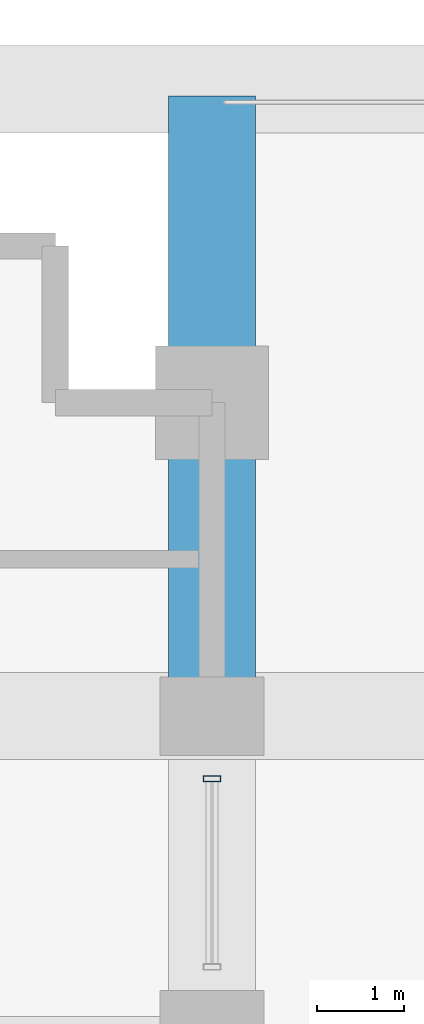
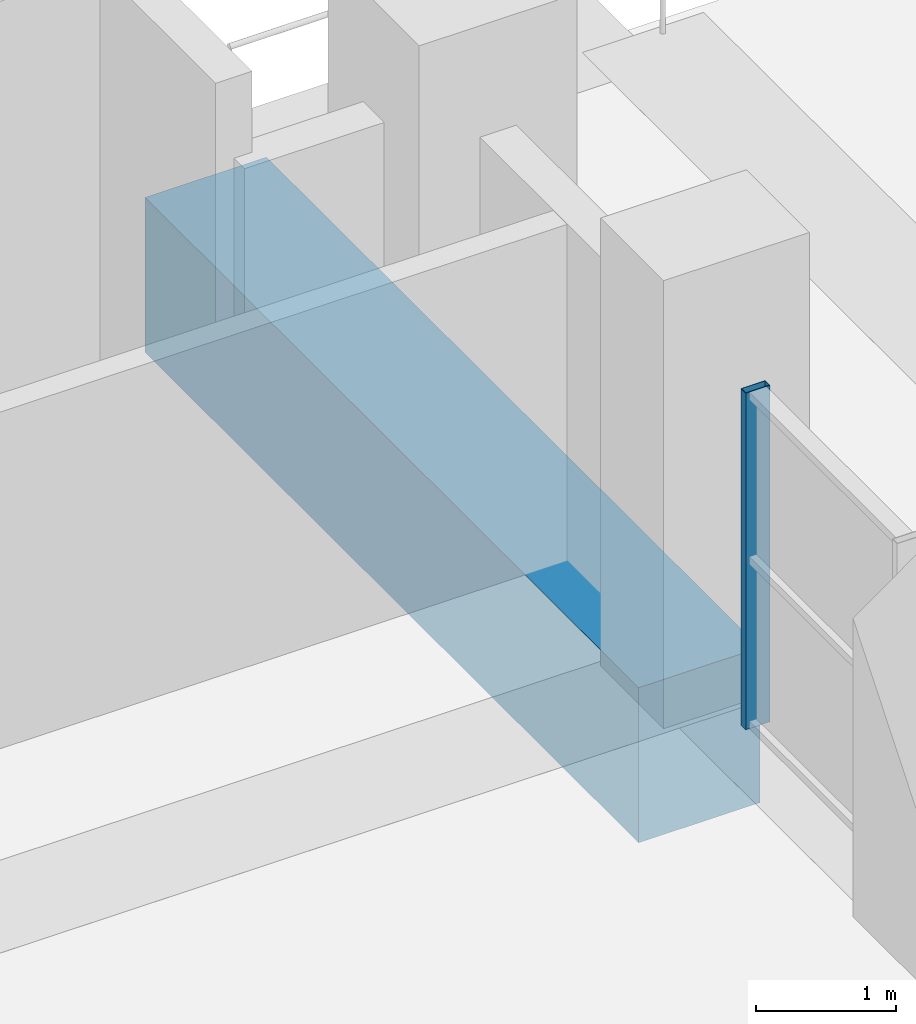
# One storey, part 27 of 39: 1 beam, 1 member, 1 element without a shape of its own.
"""IFC4 building model written with IfcOpenShell, lengths in metres."""

from ifc_helpers import new_model, si_unit, direction, frame, origin, origin_2d, place, context, subcontext, project, spatial, rectangle, hollow_rectangle, extrude, material, layer, layer_set, material_profile, profile_set, type_object, element, aggregate, save


model = new_model("IFC4")

# Units and contexts
model_context = context("Model", 3, precision=1e-05, world=origin(), true_north=direction((0.0, 1.0)))
body_context = subcontext(model_context, "Body", "Model", "MODEL_VIEW")
ifc_project = project(units=[si_unit("LENGTHUNIT", "METRE"), si_unit("AREAUNIT", "SQUARE_METRE"), si_unit("VOLUMEUNIT", "CUBIC_METRE"), si_unit("PLANEANGLEUNIT", "RADIAN"), si_unit("MASSUNIT", "GRAM", prefix="KILO")], contexts=[model_context])

# Site, building, storey
site_placement = place(None, origin())
site = spatial("IfcSite", under=ifc_project, at=site_placement, CompositionType="ELEMENT")
building_placement = place(site_placement, origin())
building = spatial("IfcBuilding", under=site, at=building_placement, Name="Solnavia Interchange Tower", CompositionType="ELEMENT")
storey_placement = place(building_placement, frame((0.0, 0.0, 24.0)))
storey = spatial("IfcBuildingStorey", under=building, at=storey_placement, Name="L05", CompositionType="ELEMENT", Elevation=24.0)

# Beam
ifc_material_1 = material(Name="Concrete C60/75", Category="concrete")
ifc_material_profile_1 = material_profile(ifc_material_1, rectangle(XDim=1.0, YDim=1.35009765625, at=origin_2d()), Name="RC 1000x1350")
ifc_profile_set_1 = profile_set([ifc_material_profile_1], Name="Concrete C60/75")
beam_type = type_object("IfcBeamType", Name="Beam-Transfer-RC1000x1350", PredefinedType="BEAM", material=ifc_profile_set_1)
beam_placement = place(storey_placement, frame((28.800048828125, 43.280029296875, -0.675048828125), z_axis=(0.0, 1.0, 0.0), x_axis=(-1.0, 0.0, 0.0)))
element("IfcBeam", 1, at=beam_placement, inside=storey, type_object=beam_type, Name="TRB-L05-64 North-east perimeter transfer girder", PredefinedType="BEAM", context=body_context, shape_type="SweptSolid", body=[
    extrude(rectangle(XDim=1.0, YDim=1.35009765625, at=origin_2d()), origin(), (0.0, 0.0, 1.0), 7.0400390625),
])

# Curtain wall, member
ifc_material_2 = material(Name="Aluminium Alloy 6063-T6", Category="aluminium")
ifc_layer = layer(ifc_material_2, 0.219970703125)
ifc_layer_set = layer_set([ifc_layer], Name="Aluminium Alloy 6063-T6")
curtain_wall_type = type_object("IfcCurtainWallType", Name="CurtainWall-Tower-CTW3", PredefinedType="NOTDEFINED", material=ifc_layer_set)
curtain_wall_placement = place(storey_placement, origin())
curtain_wall = element("IfcCurtainWall", 2, at=curtain_wall_placement, inside=storey, type_object=curtain_wall_type, Name="CTW-L05-S36 CTW-3 curtain wall", PredefinedType="NOTDEFINED")
ifc_material_profile_2 = material_profile(ifc_material_2, hollow_rectangle(XDim=0.070068359375, YDim=0.199951171875, WallThickness=0.0048828125, at=origin_2d()), Name="ALU 200x70x5")
ifc_profile_set_2 = profile_set([ifc_material_profile_2], Name="Aluminium Alloy 6063-T6")
member_type = type_object("IfcMemberType", Name="CW-Mullion-CWM-3", PredefinedType="MULLION", material=ifc_profile_set_2)
member_placement = place(storey_placement, frame((28.800048828125, 42.47998046875, 0.0), z_axis=(0.0, 0.0, 1.0), x_axis=(0.0, 1.0, 0.0)))
member = element("IfcMember", 3, at=member_placement, type_object=member_type, Name="CTW-3 mullion 2", PredefinedType="MULLION", context=body_context, shape_type="SweptSolid", body=[
    extrude(hollow_rectangle(XDim=0.070068359375, YDim=0.199951171875, WallThickness=0.0048828125, at=origin_2d()), origin(), (0.0, 0.0, 1.0), 2.929931640625),
])
aggregate(curtain_wall, [member])

save(model, "model.ifc")
